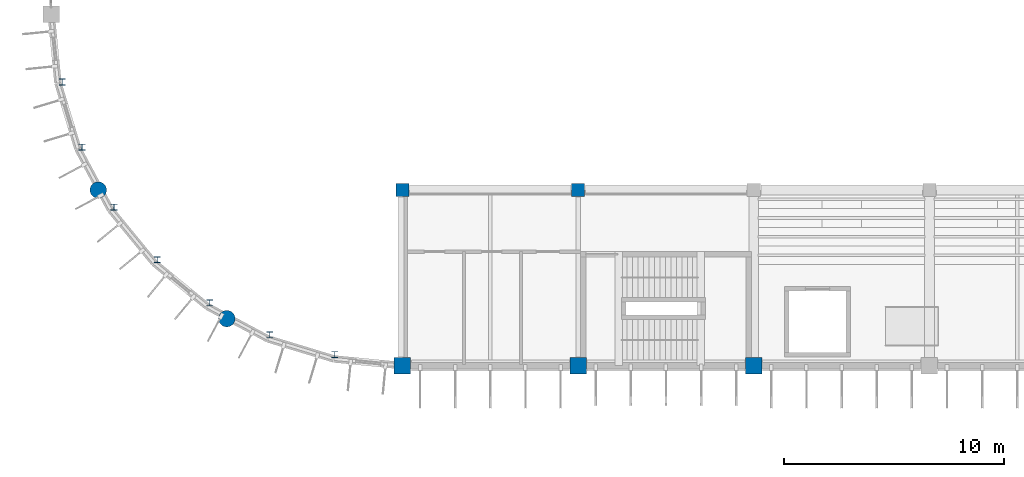
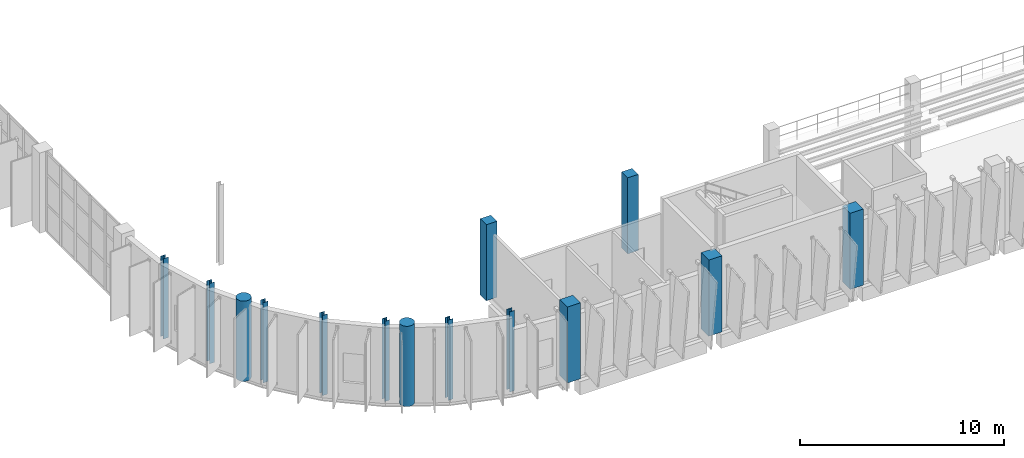
# One storey, part 1 of 93: 14 columns.
"""IFC4 building model written with IfcOpenShell, lengths in metres."""

import ifcopenshell
import ifcopenshell.guid

model = None  # the IFC model being written
_history = None  # IfcOwnerHistory: only IFC2X3 demands one
_inside = {}  # id of a spatial element -> (the spatial element, [elements in it])
_under = {}  # id of a project, library or spatial element -> (it, [spatial elements below it])
_declared = {}  # id of a project -> (the project, [libraries it declares])
_typed = {}  # id of a type object -> (the type object, [elements of that type])
_made_of = {}  # id of a material, layer set ... -> (it, [elements and type objects made of it])


def new_model(schema):
    """Start an empty IFC model of exactly this schema.

    Asked for "IFC4X3", IfcOpenShell would pick the latest addendum, in which some entities
    have other attributes; the version numbers below select the first issue.
    IFC2X3 requires an IfcOwnerHistory on every rooted entity: one is made here for all.
    """
    global model, _history
    if schema == "IFC4X3":
        model = ifcopenshell.file(schema_version=(4, 3, 0, 0))
    else:
        model = ifcopenshell.file(schema=schema)
    _inside.clear()
    _under.clear()
    _declared.clear()
    _typed.clear()
    _made_of.clear()
    _history = None
    if model.schema == "IFC2X3":
        org = make("IfcOrganization", Name="unknown")
        user = make(
            "IfcPersonAndOrganization",
            ThePerson=make("IfcPerson", FamilyName="unknown"),
            TheOrganization=org,
        )
        app = make(
            "IfcApplication",
            ApplicationDeveloper=org,
            Version="unknown",
            ApplicationFullName="unknown",
            ApplicationIdentifier="unknown",
        )
        _history = make(
            "IfcOwnerHistory",
            OwningUser=user,
            OwningApplication=app,
            ChangeAction="ADDED",
            CreationDate=0,
        )
    return model


def make(cls, **values):
    """One entity of the class cls with the attributes given. An attribute that is None is left unset."""
    return model.create_entity(
        cls, **{name: value for name, value in values.items() if value is not None}
    )


def rooted(cls, **values):
    """An entity with a GlobalId (a new one), such as an element, a storey or a relation."""
    return make(cls, GlobalId=ifcopenshell.guid.new(), OwnerHistory=_history, **values)


def si_unit(unit_type, name, prefix=None):
    """IfcSIUnit, for example si_unit("LENGTHUNIT", "METRE", prefix="MILLI")."""
    return make("IfcSIUnit", UnitType=unit_type, Prefix=prefix, Name=name)


def assignment(units):
    """IfcUnitAssignment: the units of a project."""
    return None if units is None else make("IfcUnitAssignment", Units=units)


def point(xyz):
    """IfcCartesianPoint."""
    return None if xyz is None else make("IfcCartesianPoint", Coordinates=xyz)


def direction(xyz):
    """IfcDirection."""
    return None if xyz is None else make("IfcDirection", DirectionRatios=xyz)


def frame(location, z_axis=None, x_axis=None):
    """IfcAxis2Placement3D, a coordinate frame: its origin and axes. An axis left out is left unset."""
    return make(
        "IfcAxis2Placement3D",
        Location=point(location),
        Axis=direction(z_axis),
        RefDirection=direction(x_axis),
    )


def frame_2d(location, x_axis=None):
    """IfcAxis2Placement2D, a coordinate frame in the plane: its origin and x axis."""
    return make(
        "IfcAxis2Placement2D", Location=point(location), RefDirection=direction(x_axis)
    )


def origin():
    """The frame at (0, 0, 0) with its axes left unset."""
    return frame((0.0, 0.0, 0.0))


def origin_2d():
    """The frame at (0, 0) in the plane with its x axis left unset."""
    return frame_2d((0.0, 0.0))


def place(relative_to, where):
    """IfcLocalPlacement: puts the frame where relative to a parent placement (None: the world)."""
    return make(
        "IfcLocalPlacement", PlacementRelTo=relative_to, RelativePlacement=where
    )


def context(
    kind, dimensions, precision=None, world=None, true_north=None, identifier=None
):
    """IfcGeometricRepresentationContext, for example the 3D "Model" context."""
    return make(
        "IfcGeometricRepresentationContext",
        ContextIdentifier=identifier,
        ContextType=kind,
        CoordinateSpaceDimension=dimensions,
        Precision=precision,
        WorldCoordinateSystem=world,
        TrueNorth=true_north,
    )


def subcontext(parent, identifier, kind, view, scale=None):
    """IfcGeometricRepresentationSubContext, for example "Body" below "Model"."""
    return make(
        "IfcGeometricRepresentationSubContext",
        ContextIdentifier=identifier,
        ContextType=kind,
        ParentContext=parent,
        TargetScale=scale,
        TargetView=view,
    )


def project(units=None, contexts=None):
    """IfcProject with its units and contexts."""
    return rooted(
        "IfcProject",
        Name="project",
        RepresentationContexts=contexts,
        UnitsInContext=assignment(units),
    )


def spatial(cls, under=None, at=None, **own):
    """A site, building, storey or space (cls), placed at a placement, below another one or the project."""
    s = rooted(cls, ObjectPlacement=at, **own)
    if under is not None:
        _under.setdefault(under.id(), (under, []))[1].append(s)
    return s


def profile(cls, at=None, kind="AREA", **sizes):
    """A parametric profile (cls). Its sizes go by their IFC names, for example OverallWidth=200.0."""
    return make(cls, ProfileType=kind, Position=at, **sizes)


def rectangle(**sizes):
    """IfcRectangleProfileDef."""
    return profile("IfcRectangleProfileDef", **sizes)


def circle(**sizes):
    """IfcCircleProfileDef."""
    return profile("IfcCircleProfileDef", **sizes)


def i_section(**sizes):
    """IfcIShapeProfileDef."""
    return profile("IfcIShapeProfileDef", **sizes)


def extrude(swept, where, along, depth):
    """IfcExtrudedAreaSolid: the profile swept, set in the frame where, extruded along a direction by depth."""
    return make(
        "IfcExtrudedAreaSolid",
        SweptArea=swept,
        Position=where,
        ExtrudedDirection=direction(along),
        Depth=depth,
    )


def shape(context_of_items, identifier, shape_type, items):
    """IfcShapeRepresentation: the items that make up one representation, for example the "Body"."""
    return make(
        "IfcShapeRepresentation",
        ContextOfItems=context_of_items,
        RepresentationIdentifier=identifier,
        RepresentationType=shape_type,
        Items=items,
    )


def material(Name=None, Category=None):
    """IfcMaterial."""
    return make("IfcMaterial", Name=Name, Category=Category)


def material_profile(
    of_material, cross_section, Name=None, Category=None, Priority=None
):
    """IfcMaterialProfile: a cross section and its material."""
    return make(
        "IfcMaterialProfile",
        Name=Name,
        Material=of_material,
        Profile=cross_section,
        Priority=Priority,
        Category=Category,
    )


def profile_set(profiles, Name=None, composite=None):
    """IfcMaterialProfileSet."""
    return make(
        "IfcMaterialProfileSet",
        Name=Name,
        MaterialProfiles=profiles,
        CompositeProfile=composite,
    )


def made_of(thing, what):
    """Note that an element or type object is made of a material, layer set ...; save() writes the relation."""
    if what is not None:
        _made_of.setdefault(what.id(), (what, []))[1].append(thing)
    return thing


def type_object(cls, material=None, **own):
    """A type object (cls), such as IfcWallType, which elements share."""
    return made_of(rooted(cls, **own), material)


def element(
    cls,
    number,
    at=None,
    inside=None,
    cuts=None,
    type_object=None,
    material=None,
    context=None,
    identifier="Body",
    shape_type=None,
    held_by="IfcProductDefinitionShape",
    body=None,
    shapes=None,
    **own,
):
    """One element of the class cls, such as IfcWall. Its Tag is "e" and its number.

    at: its placement. inside: the storey or other place that contains it. cuts: it is an
    opening in that element (IfcRelVoidsElement). A single representation is given by context,
    identifier, shape_type and body (its items); several are given by shapes. held_by: the class
    of the entity that holds the representations. save() writes the other relations.
    """
    e = rooted(cls, Tag="e%d" % number, ObjectPlacement=at, **own)
    if body is not None:
        shapes = [shape(context, identifier, shape_type, body)]
    if shapes is not None:
        e.Representation = make(held_by, Representations=shapes)
    if inside is not None:
        _inside.setdefault(inside.id(), (inside, []))[1].append(e)
    if cuts is not None:
        rooted(
            "IfcRelVoidsElement", RelatingBuildingElement=cuts, RelatedOpeningElement=e
        )
    if type_object is not None:
        _typed.setdefault(type_object.id(), (type_object, []))[1].append(e)
    return made_of(e, material)


def aggregate(whole, parts):
    """IfcRelAggregates: a whole, such as a stair, and the parts it consists of."""
    return rooted("IfcRelAggregates", RelatingObject=whole, RelatedObjects=parts)


def save(model, path):
    """Write the relations noted so far, then the file.

    IfcRelAggregates (storeys below a building ...), IfcRelContainedInSpatialStructure (elements
    in a storey), IfcRelDefinesByType, IfcRelAssociatesMaterial and IfcRelDeclares: one each for
    every whole, place, type object, material and project.
    """
    for whole, parts in _under.values():
        aggregate(whole, parts)
    for where, things in _inside.values():
        rooted(
            "IfcRelContainedInSpatialStructure",
            RelatedElements=things,
            RelatingStructure=where,
        )
    for kind, things in _typed.values():
        rooted("IfcRelDefinesByType", RelatedObjects=things, RelatingType=kind)
    for what, things in _made_of.values():
        rooted("IfcRelAssociatesMaterial", RelatedObjects=things, RelatingMaterial=what)
    for by, libraries in _declared.values():
        rooted("IfcRelDeclares", RelatingContext=by, RelatedDefinitions=libraries)
    model.write(path)


model = new_model("IFC4")

# Units and contexts
model_context = context("Model", 3, precision=1e-05, world=origin(), true_north=direction((0.0, 1.0)))
body_context = subcontext(model_context, "Body", "Model", "MODEL_VIEW")
ifc_project = project(units=[si_unit("LENGTHUNIT", "METRE"), si_unit("AREAUNIT", "SQUARE_METRE"), si_unit("VOLUMEUNIT", "CUBIC_METRE"), si_unit("PLANEANGLEUNIT", "RADIAN"), si_unit("MASSUNIT", "GRAM", prefix="KILO")], contexts=[model_context])

# Site, building, storey
site_placement = place(None, origin())
site = spatial("IfcSite", under=ifc_project, at=site_placement, CompositionType="ELEMENT")
building_placement = place(site_placement, origin())
building = spatial("IfcBuilding", under=site, at=building_placement, Name="Drelvana Railside Aquatics Centre", CompositionType="ELEMENT")
storey_placement = place(building_placement, frame((0.0, 0.0, 5.39990234375)))
storey = spatial("IfcBuildingStorey", under=building, at=storey_placement, Name="L01", CompositionType="ELEMENT", Elevation=5.39990234375)

# Columns
ifc_material_1 = material(Name="Concrete C40/50", Category="concrete")
ifc_material_profile_1 = material_profile(ifc_material_1, rectangle(XDim=0.60009765625, YDim=0.60009765625, at=origin_2d()), Name="RC 600x600")
ifc_profile_set_1 = profile_set([ifc_material_profile_1], Name="Concrete C40/50")
column_type_1 = type_object("IfcColumnType", Name="STR-COL-RC-600x600", PredefinedType="COLUMN", material=ifc_profile_set_1)
for number, where, z_axis, x_axis, name in (
    (1, (16.0, 24.0, 0.0), (0.0, 0.0, 1.0), (1.0, 0.0, 0.0), "Column C-04 (L01)"),
    (2, (24.0, 24.0, 0.0), (0.0, 0.0, 1.0), (1.0, 0.0, 0.0), "Column C-04 (L01)"),
):
    element("IfcColumn", number, at=place(storey_placement, frame(where, z_axis=z_axis, x_axis=x_axis)), inside=storey, type_object=column_type_1, Name=name, PredefinedType="COLUMN", context=body_context, shape_type="SweptSolid", body=[
        extrude(rectangle(XDim=0.60009765625, YDim=0.60009765625, at=origin_2d()), origin(), (0.0, 0.0, 1.0), 4.550048828125),
    ])
ifc_material_profile_2 = material_profile(ifc_material_1, rectangle(XDim=0.75, YDim=0.75, at=origin_2d()), Name="RC 750x750")
ifc_profile_set_2 = profile_set([ifc_material_profile_2], Name="Concrete C40/50")
column_type_2 = type_object("IfcColumnType", Name="STR-COL-RC-750x750", PredefinedType="COLUMN", material=ifc_profile_set_2)
for number, where, z_axis, x_axis, name in (
    (3, (16.0, 16.0, 0.0), (0.0, 0.0, 1.0), (1.0, 0.0, 0.0), "Column C-07 (L01)"),
    (4, (24.0, 16.0, 0.0), (0.0, 0.0, 1.0), (1.0, 0.0, 0.0), "Column C-07 (L01)"),
    (5, (32.0, 16.0, 0.0), (0.0, 0.0, 1.0), (1.0, 0.0, 0.0), "Column C-07 (L01)"),
):
    element("IfcColumn", number, at=place(storey_placement, frame(where, z_axis=z_axis, x_axis=x_axis)), inside=storey, type_object=column_type_2, Name=name, PredefinedType="COLUMN", context=body_context, shape_type="SweptSolid", body=[
        extrude(rectangle(XDim=0.75, YDim=0.75, at=origin_2d()), origin(), (0.0, 0.0, 1.0), 4.550048828125),
    ])
ifc_material_profile_3 = material_profile(ifc_material_1, circle(Radius=0.375, at=origin_2d()), Name="RC D750")
ifc_profile_set_3 = profile_set([ifc_material_profile_3], Name="Concrete C40/50")
column_type_3 = type_object("IfcColumnType", Name="STR-COL-RC-D750", PredefinedType="PILASTER", material=ifc_profile_set_3)
for number, where, z_axis, x_axis, name in (
    (6, (2.1435546875, 24.0, 0.0), (0.0, 0.0, 1.0), (1.0, 0.0, 0.0), "Column CP-02 (L01)"),
    (7, (8.0, 18.1435546875, 0.0), (0.0, 0.0, 1.0), (1.0, 0.0, 0.0), "Column CP-02 (L01)"),
):
    element("IfcColumn", number, at=place(storey_placement, frame(where, z_axis=z_axis, x_axis=x_axis)), inside=storey, type_object=column_type_3, Name=name, PredefinedType="PILASTER", context=body_context, shape_type="SweptSolid", body=[
        extrude(circle(Radius=0.375, at=origin_2d()), origin(), (0.0, 0.0, 1.0), 4.800048828125),
    ])
ifc_material_2 = material(Name="Structural steel S355", Category="steel")
ifc_material_profile_4 = material_profile(ifc_material_2, i_section(OverallWidth=0.280029296875, OverallDepth=0.280029296875, WebThickness=0.010498046875, FlangeThickness=0.01806640625, at=origin_2d()), Name="HEB 280")
ifc_profile_set_4 = profile_set([ifc_material_profile_4], Name="Structural steel S355")
column_type_4 = type_object("IfcColumnType", Name="STR-SCOL-HEB-280", PredefinedType="COLUMN", material=ifc_profile_set_4)
for number, where, z_axis, x_axis, name in (
    (8, (0.503662109375, 28.91748046875, 0.0), (0.0, 0.0, 1.0), (1.0, 0.0, 0.0), "V1SW curved chord column 1 (L01)"),
    (9, (1.402587890625, 25.95361328125, 0.0), (0.0, 0.0, 1.0), (1.0, 0.0, 0.0), "V1SW curved chord column 2 (L01)"),
    (10, (2.86279296875, 23.221923828125, 0.0), (0.0, 0.0, 1.0), (1.0, 0.0, 0.0), "V1SW curved chord column 3 (L01)"),
    (11, (4.82763671875, 20.82763671875, 0.0), (0.0, 0.0, 1.0), (1.0, 0.0, 0.0), "V1SW curved chord column 4 (L01)"),
    (12, (7.221923828125, 18.86279296875, 0.0), (0.0, 0.0, 1.0), (1.0, 0.0, 0.0), "V1SW curved chord column 5 (L01)"),
    (13, (9.95361328125, 17.402587890625, 0.0), (0.0, 0.0, 1.0), (1.0, 0.0, 0.0), "V1SW curved chord column 6 (L01)"),
    (14, (12.91748046875, 16.503662109375, 0.0), (0.0, 0.0, 1.0), (1.0, 0.0, 0.0), "V1SW curved chord column 7 (L01)"),
):
    element("IfcColumn", number, at=place(storey_placement, frame(where, z_axis=z_axis, x_axis=x_axis)), inside=storey, type_object=column_type_4, Name=name, PredefinedType="COLUMN", context=body_context, shape_type="SweptSolid", body=[
        extrude(i_section(OverallWidth=0.280029296875, OverallDepth=0.280029296875, WebThickness=0.010498046875, FlangeThickness=0.01806640625, at=origin_2d()), origin(), (0.0, 0.0, 1.0), 4.800048828125),
    ])

save(model, "model.ifc")
